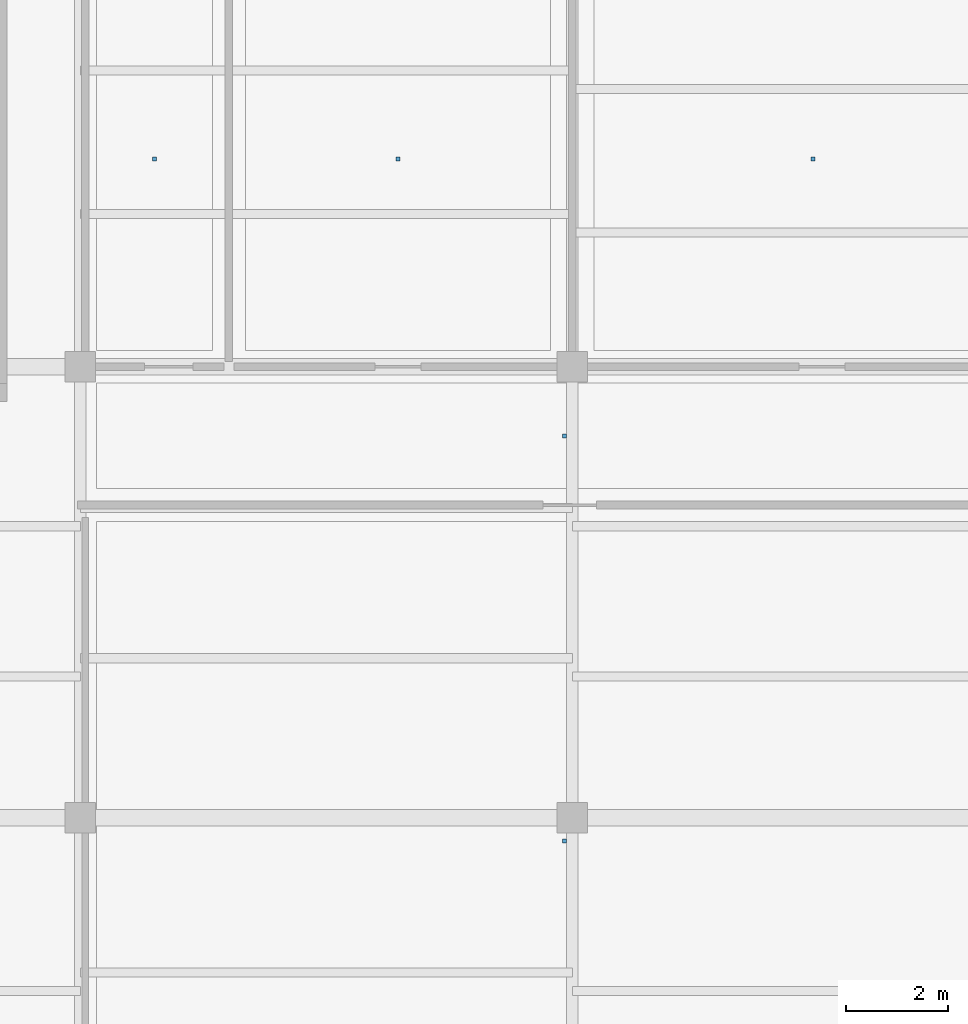
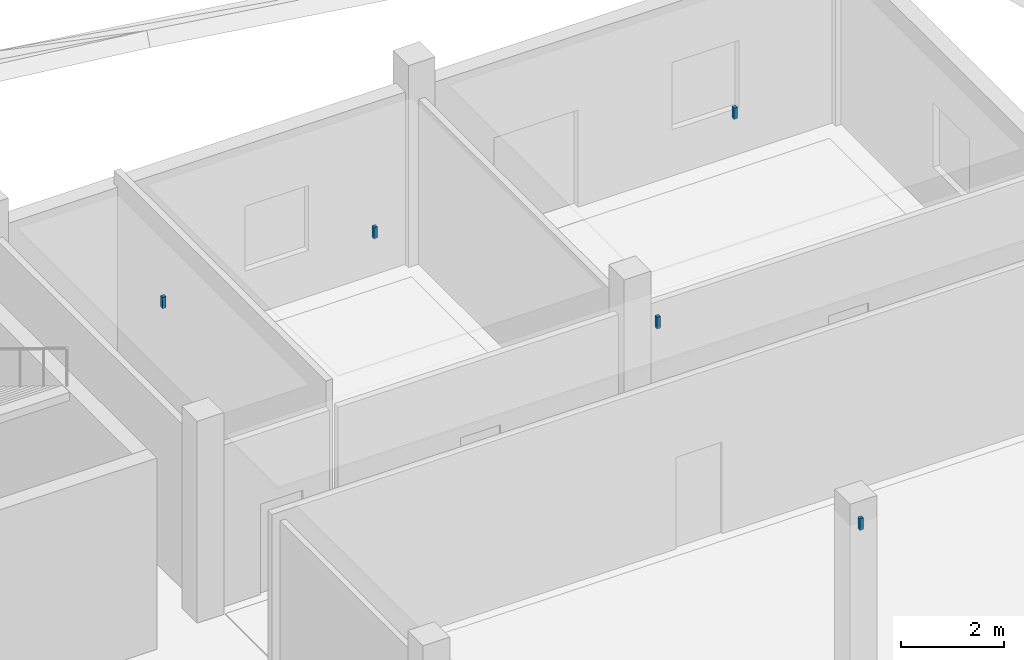
# One storey, part 104 of 116: 5 discrete accessories.
"""IFC4 building model written with IfcOpenShell, lengths in metres."""

from ifc_helpers import new_model, si_unit, direction, frame, origin, origin_2d, place, context, subcontext, project, spatial, rectangle, extrude, material, type_object, element, save


model = new_model("IFC4")

# Units and contexts
model_context = context("Model", 3, precision=1e-05, world=origin(), true_north=direction((0.0, 1.0)))
body_context = subcontext(model_context, "Body", "Model", "MODEL_VIEW")
ifc_project = project(units=[si_unit("LENGTHUNIT", "METRE"), si_unit("AREAUNIT", "SQUARE_METRE"), si_unit("VOLUMEUNIT", "CUBIC_METRE"), si_unit("PLANEANGLEUNIT", "RADIAN"), si_unit("MASSUNIT", "GRAM", prefix="KILO")], contexts=[model_context])

# Site, building, storey
site_placement = place(None, origin())
site = spatial("IfcSite", under=ifc_project, at=site_placement, CompositionType="ELEMENT")
building_placement = place(site_placement, origin())
building = spatial("IfcBuilding", under=site, at=building_placement, Name="Chalmorin Arch Market", CompositionType="ELEMENT")
storey_placement = place(building_placement, origin())
storey = spatial("IfcBuildingStorey", under=building, at=storey_placement, Name="L00", CompositionType="ELEMENT", Elevation=0.0)

# Discrete accessories
ifc_material = material(Name="Galvanized Cold-Formed Steel", Category="steel")
discrete_accessory_type = type_object("IfcDiscreteAccessoryType", Name="CeilingSuspensionBracket-80x80", PredefinedType="BRACKET", material=ifc_material)
for number, where, z_axis, x_axis, name in (
    (1, (105.449951171875, 100.35009765625, 4.2529296875), (0.0, 0.0, 1.0), (1.0, 0.0, 0.0), "CSB-131"),
    (2, (105.449951171875, 108.25, 4.2529296875), (0.0, 0.0, 1.0), (1.0, 0.0, 0.0), "CSB-133"),
):
    element("IfcDiscreteAccessory", number, at=place(storey_placement, frame(where, z_axis=z_axis, x_axis=x_axis)), inside=storey, type_object=discrete_accessory_type, Name=name, PredefinedType="BRACKET", context=body_context, shape_type="SweptSolid", body=[
        extrude(rectangle(XDim=0.080078125, YDim=0.080078125, at=origin_2d()), origin(), (0.0, 0.0, 1.0), 0.277099609375),
    ])
for number, where, z_axis, x_axis, name in (
    (3, (97.449951171875, 113.64990234375, 4.261962890625), (0.0, 0.0, 1.0), (1.0, 0.0, 0.0), "CSB-135"),
    (4, (102.199951171875, 113.64990234375, 4.261962890625), (0.0, 0.0, 1.0), (1.0, 0.0, 0.0), "CSB-137"),
    (5, (110.300048828125, 113.64990234375, 4.261962890625), (0.0, 0.0, 1.0), (1.0, 0.0, 0.0), "CSB-139"),
):
    element("IfcDiscreteAccessory", number, at=place(storey_placement, frame(where, z_axis=z_axis, x_axis=x_axis)), inside=storey, type_object=discrete_accessory_type, Name=name, PredefinedType="BRACKET", context=body_context, shape_type="SweptSolid", body=[
        extrude(rectangle(XDim=0.080078125, YDim=0.080078125, at=origin_2d()), origin(), (0.0, 0.0, 1.0), 0.26806640625),
    ])

save(model, "model.ifc")
